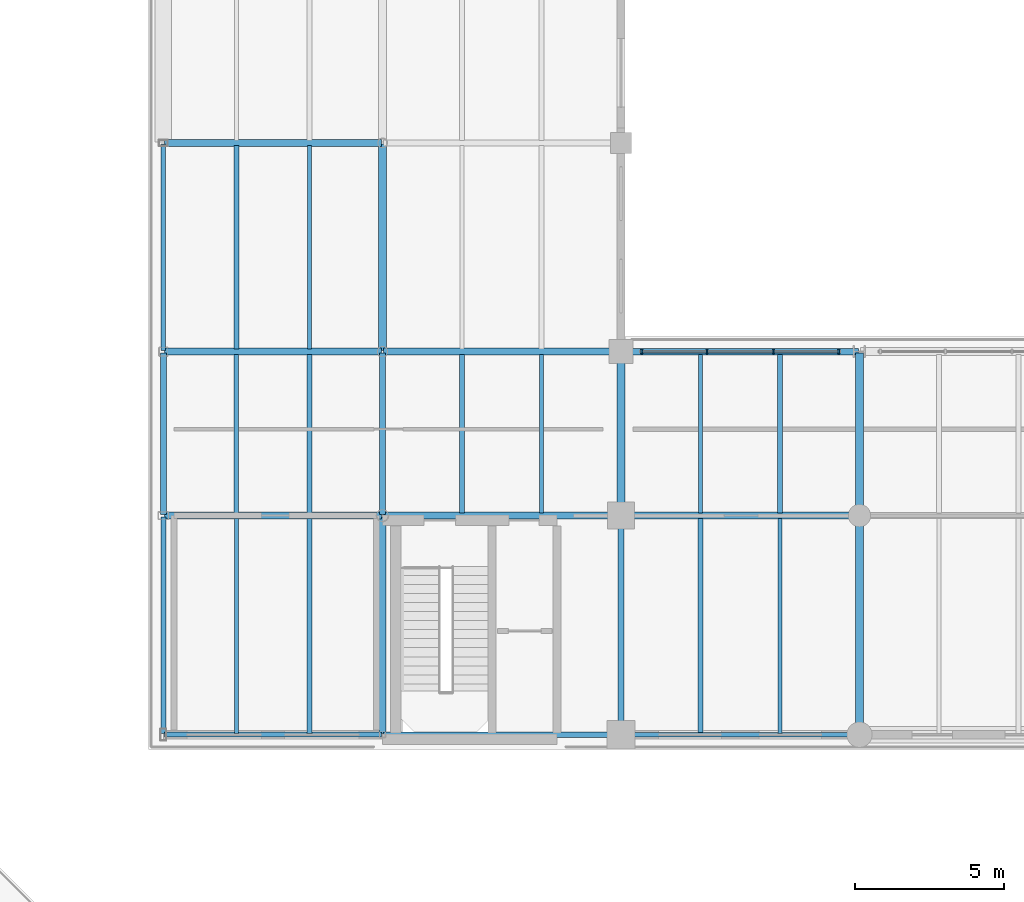
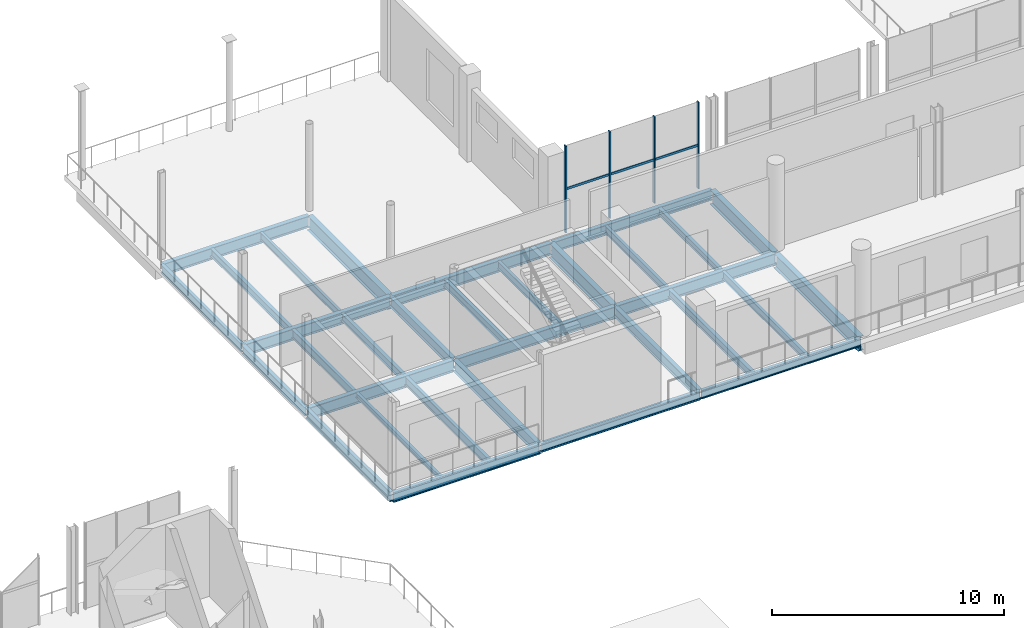
# One storey, part 23 of 51: 32 beams, 7 members, 1 element without a shape of its own.
"""IFC4 building model written with IfcOpenShell, lengths in metres."""

from ifc_helpers import new_model, si_unit, direction, frame, origin, origin_2d, place, context, subcontext, project, spatial, rectangle, i_section, extrude, material, material_profile, profile_set, type_object, element, aggregate, save


model = new_model("IFC4")

# Units and contexts
model_context = context("Model", 3, precision=1e-05, world=origin(), true_north=direction((0.0, 1.0)))
body_context = subcontext(model_context, "Body", "Model", "MODEL_VIEW")
ifc_project = project(units=[si_unit("LENGTHUNIT", "METRE"), si_unit("AREAUNIT", "SQUARE_METRE"), si_unit("VOLUMEUNIT", "CUBIC_METRE"), si_unit("PLANEANGLEUNIT", "RADIAN"), si_unit("MASSUNIT", "GRAM", prefix="KILO")], contexts=[model_context])

# Site, building, storey
site_placement = place(None, origin())
site = spatial("IfcSite", under=ifc_project, at=site_placement, CompositionType="ELEMENT")
building_placement = place(site_placement, origin())
building = spatial("IfcBuilding", under=site, at=building_placement, Name="Brisemont Oceanarium", CompositionType="ELEMENT")
storey_placement = place(building_placement, frame((0.0, 0.0, 15.0)))
storey = spatial("IfcBuildingStorey", under=building, at=storey_placement, Name="L03", CompositionType="ELEMENT", Elevation=15.0)

# Beams
ifc_material_1 = material(Name="Structural Steel ASTM A992 Gr.50", Category="steel")
ifc_material_profile_1 = material_profile(ifc_material_1, i_section(OverallWidth=0.14599609375, OverallDepth=0.259033203125, WebThickness=0.006103515625, FlangeThickness=0.009033203125, FilletRadius=0.008056640625, at=origin_2d()), Name="W10X22")
ifc_profile_set_1 = profile_set([ifc_material_profile_1], Name="Structural Steel ASTM A992 Gr.50")
beam_type_1 = type_object("IfcBeamType", Name="BM-W10X22", PredefinedType="LINTEL", material=ifc_profile_set_1)
beam_1_placement = place(storey_placement, frame((115.10009765625, 80.68994140625, -0.389404296875), z_axis=(0.0, 1.0, 0.0), x_axis=(-1.0, 0.0, 0.0)))
element("IfcBeam", 1, at=beam_1_placement, inside=storey, type_object=beam_type_1, Name="V6 L03 secondary floor beam", PredefinedType="LINTEL", context=body_context, shape_type="SweptSolid", body=[
    extrude(i_section(OverallWidth=0.14599609375, OverallDepth=0.259033203125, WebThickness=0.006103515625, FlangeThickness=0.009033203125, FilletRadius=0.008056640625, at=origin_2d()), origin(), (0.0, 0.0, 1.0), 7.219970703125),
])
ifc_material_2 = material(Name="Structural Steel ASTM A992 Gr.50", Category="steel")
ifc_material_profile_2 = material_profile(ifc_material_2, i_section(OverallWidth=0.1708984375, OverallDepth=0.35107421875, WebThickness=0.0068359375, FlangeThickness=0.009765625, FilletRadius=0.010009765625, at=origin_2d()), Name="W14X30")
ifc_profile_set_2 = profile_set([ifc_material_profile_2], Name="Structural Steel ASTM A992 Gr.50")
beam_type_2 = type_object("IfcBeamType", Name="BM-W14X30", PredefinedType="JOIST", material=ifc_profile_set_2)
beam_2_placement = place(storey_placement, frame((133.333251953125, 88.090087890625, -0.435546875), z_axis=(0.0, 1.0, 0.0), x_axis=(-1.0, 0.0, 0.0)))
element("IfcBeam", 2, at=beam_2_placement, inside=storey, type_object=beam_type_2, Name="V6 L03 secondary floor beam", PredefinedType="JOIST", context=body_context, shape_type="SweptSolid", body=[
    extrude(i_section(OverallWidth=0.1708984375, OverallDepth=0.35107421875, WebThickness=0.0068359375, FlangeThickness=0.009765625, FilletRadius=0.010009765625, at=origin_2d()), origin(), (0.0, 0.0, 1.0), 5.31982421875),
])
ifc_material_3 = material(Name="Structural Steel ASTM A992 Gr.50", Category="steel")
ifc_material_profile_3 = material_profile(ifc_material_3, i_section(OverallWidth=0.139892578125, OverallDepth=0.39892578125, WebThickness=0.00634765625, FlangeThickness=0.0087890625, FilletRadius=0.010009765625, at=origin_2d()), Name="W16X26")
ifc_profile_set_3 = profile_set([ifc_material_profile_3], Name="Structural Steel ASTM A992 Gr.50")
beam_type_3 = type_object("IfcBeamType", Name="BM-W16X26", PredefinedType="JOIST", material=ifc_profile_set_3)
beam_3_placement = place(storey_placement, frame((117.550048828125, 93.590087890625, -0.45947265625), z_axis=(0.0, 1.0, 0.0), x_axis=(-1.0, 0.0, 0.0)))
element("IfcBeam", 3, at=beam_3_placement, inside=storey, type_object=beam_type_3, Name="V6 L03 secondary floor beam", PredefinedType="JOIST", context=body_context, shape_type="SweptSolid", body=[
    extrude(i_section(OverallWidth=0.139892578125, OverallDepth=0.39892578125, WebThickness=0.00634765625, FlangeThickness=0.0087890625, FilletRadius=0.010009765625, at=origin_2d()), origin(), (0.0, 0.0, 1.0), 6.81982421875),
])
beam_4_placement = place(storey_placement, frame((125.333251953125, 88.090087890625, -0.45947265625), z_axis=(0.0, 1.0, 0.0), x_axis=(-1.0, 0.0, 0.0)))
element("IfcBeam", 4, at=beam_4_placement, inside=storey, type_object=beam_type_3, Name="V6 L03 secondary floor beam", PredefinedType="JOIST", context=body_context, shape_type="SweptSolid", body=[
    extrude(i_section(OverallWidth=0.139892578125, OverallDepth=0.39892578125, WebThickness=0.00634765625, FlangeThickness=0.0087890625, FilletRadius=0.010009765625, at=origin_2d()), origin(), (0.0, 0.0, 1.0), 5.31982421875),
])
beam_5_placement = place(storey_placement, frame((133.333251953125, 80.68994140625, -0.45947265625), z_axis=(0.0, 1.0, 0.0), x_axis=(-1.0, 0.0, 0.0)))
element("IfcBeam", 5, at=beam_5_placement, inside=storey, type_object=beam_type_3, Name="V6 L03 secondary floor beam", PredefinedType="JOIST", context=body_context, shape_type="SweptSolid", body=[
    extrude(i_section(OverallWidth=0.139892578125, OverallDepth=0.39892578125, WebThickness=0.00634765625, FlangeThickness=0.0087890625, FilletRadius=0.010009765625, at=origin_2d()), origin(), (0.0, 0.0, 1.0), 7.219970703125),
])
beam_6_placement = place(storey_placement, frame((130.666748046875, 88.090087890625, -0.45947265625), z_axis=(0.0, 1.0, 0.0), x_axis=(-1.0, 0.0, 0.0)))
element("IfcBeam", 6, at=beam_6_placement, inside=storey, type_object=beam_type_3, Name="V6 L03 secondary floor beam", PredefinedType="JOIST", context=body_context, shape_type="SweptSolid", body=[
    extrude(i_section(OverallWidth=0.139892578125, OverallDepth=0.39892578125, WebThickness=0.00634765625, FlangeThickness=0.0087890625, FilletRadius=0.010009765625, at=origin_2d()), origin(), (0.0, 0.0, 1.0), 5.31982421875),
])
ifc_material_4 = material(Name="Structural Steel ASTM A992 Gr.50", Category="steel")
ifc_material_profile_4 = material_profile(ifc_material_4, i_section(OverallWidth=0.177978515625, OverallDepth=0.404052734375, WebThickness=0.007568359375, FlangeThickness=0.010986328125, FilletRadius=0.010009765625, at=origin_2d()), Name="W16X36")
ifc_profile_set_4 = profile_set([ifc_material_profile_4], Name="Structural Steel ASTM A992 Gr.50")
beam_type_4 = type_object("IfcBeamType", Name="BM-W16X36", PredefinedType="JOIST", material=ifc_profile_set_4)
beam_7_placement = place(storey_placement, frame((117.550048828125, 88.090087890625, -0.4619140625), z_axis=(0.0, 1.0, 0.0), x_axis=(-1.0, 0.0, 0.0)))
element("IfcBeam", 7, at=beam_7_placement, inside=storey, type_object=beam_type_4, Name="V6 L03 secondary floor beam", PredefinedType="JOIST", context=body_context, shape_type="SweptSolid", body=[
    extrude(i_section(OverallWidth=0.177978515625, OverallDepth=0.404052734375, WebThickness=0.007568359375, FlangeThickness=0.010986328125, FilletRadius=0.010009765625, at=origin_2d()), origin(), (0.0, 0.0, 1.0), 5.31982421875),
])
beam_8_placement = place(storey_placement, frame((115.10009765625, 93.590087890625, -0.4619140625), z_axis=(0.0, 1.0, 0.0), x_axis=(-1.0, 0.0, 0.0)))
element("IfcBeam", 8, at=beam_8_placement, inside=storey, type_object=beam_type_4, Name="V6 L03 secondary floor beam", PredefinedType="JOIST", context=body_context, shape_type="SweptSolid", body=[
    extrude(i_section(OverallWidth=0.177978515625, OverallDepth=0.404052734375, WebThickness=0.007568359375, FlangeThickness=0.010986328125, FilletRadius=0.010009765625, at=origin_2d()), origin(), (0.0, 0.0, 1.0), 6.81982421875),
])
beam_9_placement = place(storey_placement, frame((122.666748046875, 88.090087890625, -0.4619140625), z_axis=(0.0, 1.0, 0.0), x_axis=(-1.0, 0.0, 0.0)))
element("IfcBeam", 9, at=beam_9_placement, inside=storey, type_object=beam_type_4, Name="V6 L03 secondary floor beam", PredefinedType="JOIST", context=body_context, shape_type="SweptSolid", body=[
    extrude(i_section(OverallWidth=0.177978515625, OverallDepth=0.404052734375, WebThickness=0.007568359375, FlangeThickness=0.010986328125, FilletRadius=0.010009765625, at=origin_2d()), origin(), (0.0, 0.0, 1.0), 5.31982421875),
])
beam_10_placement = place(storey_placement, frame((130.666748046875, 80.68994140625, -0.4619140625), z_axis=(0.0, 1.0, 0.0), x_axis=(-1.0, 0.0, 0.0)))
element("IfcBeam", 10, at=beam_10_placement, inside=storey, type_object=beam_type_4, Name="V6 L03 secondary floor beam", PredefinedType="JOIST", context=body_context, shape_type="SweptSolid", body=[
    extrude(i_section(OverallWidth=0.177978515625, OverallDepth=0.404052734375, WebThickness=0.007568359375, FlangeThickness=0.010986328125, FilletRadius=0.010009765625, at=origin_2d()), origin(), (0.0, 0.0, 1.0), 7.219970703125),
])
ifc_material_5 = material(Name="Structural Steel ASTM A992 Gr.50", Category="steel")
ifc_material_profile_5 = material_profile(ifc_material_5, i_section(OverallWidth=0.153076171875, OverallDepth=0.455078125, WebThickness=0.008056640625, FlangeThickness=0.01318359375, FilletRadius=0.010986328125, at=origin_2d()), Name="W18X40")
ifc_profile_set_5 = profile_set([ifc_material_profile_5], Name="Structural Steel ASTM A992 Gr.50")
beam_type_5 = type_object("IfcBeamType", Name="BM-W18X40", PredefinedType="JOIST", material=ifc_profile_set_5)
beam_11_placement = place(storey_placement, frame((117.550048828125, 80.68994140625, -0.487548828125), z_axis=(0.0, 1.0, 0.0), x_axis=(-1.0, 0.0, 0.0)))
element("IfcBeam", 11, at=beam_11_placement, inside=storey, type_object=beam_type_5, Name="V6 L03 secondary floor beam", PredefinedType="JOIST", context=body_context, shape_type="SweptSolid", body=[
    extrude(i_section(OverallWidth=0.153076171875, OverallDepth=0.455078125, WebThickness=0.008056640625, FlangeThickness=0.01318359375, FilletRadius=0.010986328125, at=origin_2d()), origin(), (0.0, 0.0, 1.0), 7.219970703125),
])
beam_12_placement = place(storey_placement, frame((115.10009765625, 88.090087890625, -0.487548828125), z_axis=(0.0, 1.0, 0.0), x_axis=(-1.0, 0.0, 0.0)))
element("IfcBeam", 12, at=beam_12_placement, inside=storey, type_object=beam_type_5, Name="V6 L03 secondary floor beam", PredefinedType="JOIST", context=body_context, shape_type="SweptSolid", body=[
    extrude(i_section(OverallWidth=0.153076171875, OverallDepth=0.455078125, WebThickness=0.008056640625, FlangeThickness=0.01318359375, FilletRadius=0.010986328125, at=origin_2d()), origin(), (0.0, 0.0, 1.0), 5.31982421875),
])
ifc_material_6 = material(Name="Structural Steel ASTM A992 Gr.50", Category="steel")
ifc_material_profile_6 = material_profile(ifc_material_6, i_section(OverallWidth=0.154052734375, OverallDepth=0.458984375, WebThickness=0.009033203125, FlangeThickness=0.015380859375, FilletRadius=0.010986328125, at=origin_2d()), Name="W18X46")
ifc_profile_set_6 = profile_set([ifc_material_profile_6], Name="Structural Steel ASTM A992 Gr.50")
beam_type_6 = type_object("IfcBeamType", Name="BM-W18X46", PredefinedType="SPANDREL", material=ifc_profile_set_6)
beam_13_placement = place(storey_placement, frame((128.0400390625, 80.64990234375, -0.489501953125), z_axis=(1.0, 0.0, 0.0), x_axis=(0.0, 1.0, 0.0)))
element("IfcBeam", 13, at=beam_13_placement, inside=storey, type_object=beam_type_6, Name="V6 L03 EW girder", PredefinedType="SPANDREL", context=body_context, shape_type="SweptSolid", body=[
    extrude(i_section(OverallWidth=0.154052734375, OverallDepth=0.458984375, WebThickness=0.009033203125, FlangeThickness=0.015380859375, FilletRadius=0.010986328125, at=origin_2d()), origin(), (0.0, 0.0, 1.0), 7.919921875),
])
beam_14_placement = place(storey_placement, frame((112.64990234375, 93.5400390625, -0.489501953125), z_axis=(0.0, 1.0, 0.0), x_axis=(-1.0, 0.0, 0.0)))
element("IfcBeam", 14, at=beam_14_placement, inside=storey, type_object=beam_type_6, Name="V6 L03 NS girder", PredefinedType="SPANDREL", context=body_context, shape_type="SweptSolid", body=[
    extrude(i_section(OverallWidth=0.154052734375, OverallDepth=0.458984375, WebThickness=0.009033203125, FlangeThickness=0.015380859375, FilletRadius=0.010986328125, at=origin_2d()), origin(), (0.0, 0.0, 1.0), 6.919921875),
])
ifc_material_7 = material(Name="Structural Steel ASTM A992 Gr.50", Category="steel")
ifc_material_profile_7 = material_profile(ifc_material_7, i_section(OverallWidth=0.19091796875, OverallDepth=0.4599609375, WebThickness=0.010009765625, FlangeThickness=0.01611328125, FilletRadius=0.010986328125, at=origin_2d()), Name="W18X55")
ifc_profile_set_7 = profile_set([ifc_material_profile_7], Name="Structural Steel ASTM A992 Gr.50")
beam_type_7 = type_object("IfcBeamType", Name="BM-W18X55", PredefinedType="SPANDREL", material=ifc_profile_set_7)
beam_15_placement = place(storey_placement, frame((120.0400390625, 80.64990234375, -0.489990234375), z_axis=(1.0, 0.0, 0.0), x_axis=(0.0, 1.0, 0.0)))
element("IfcBeam", 15, at=beam_15_placement, inside=storey, type_object=beam_type_7, Name="V6 L03 EW girder", PredefinedType="SPANDREL", context=body_context, shape_type="SweptSolid", body=[
    extrude(i_section(OverallWidth=0.19091796875, OverallDepth=0.4599609375, WebThickness=0.010009765625, FlangeThickness=0.01611328125, FilletRadius=0.010986328125, at=origin_2d()), origin(), (0.0, 0.0, 1.0), 7.919921875),
])
beam_16_placement = place(storey_placement, frame((112.64990234375, 88.0400390625, -0.489990234375), z_axis=(0.0, 1.0, 0.0), x_axis=(-1.0, 0.0, 0.0)))
element("IfcBeam", 16, at=beam_16_placement, inside=storey, type_object=beam_type_7, Name="V6 L03 NS girder", PredefinedType="SPANDREL", context=body_context, shape_type="SweptSolid", body=[
    extrude(i_section(OverallWidth=0.19091796875, OverallDepth=0.4599609375, WebThickness=0.010009765625, FlangeThickness=0.01611328125, FilletRadius=0.010986328125, at=origin_2d()), origin(), (0.0, 0.0, 1.0), 5.419921875),
])
ifc_material_8 = material(Name="Structural Steel ASTM A992 Gr.50", Category="steel")
ifc_material_profile_8 = material_profile(ifc_material_8, i_section(OverallWidth=0.166015625, OverallDepth=0.528076171875, WebThickness=0.009765625, FlangeThickness=0.013671875, FilletRadius=0.012939453125, at=origin_2d()), Name="W21X50")
ifc_profile_set_8 = profile_set([ifc_material_profile_8], Name="Structural Steel ASTM A992 Gr.50")
beam_type_8 = type_object("IfcBeamType", Name="BM-W21X50", PredefinedType="SPANDREL", material=ifc_profile_set_8)
for number, where, z_axis, x_axis, name in (
    (17, (112.68994140625, 80.64990234375, -0.52392578125), (1.0, 0.0, 0.0), (0.0, 1.0, 0.0), "V6 L03 EW girder"),
    (18, (112.64990234375, 80.68994140625, -0.52392578125), (0.0, 1.0, 0.0), (-1.0, 0.0, 0.0), "V6 L03 NS girder"),
):
    element("IfcBeam", number, at=place(storey_placement, frame(where, z_axis=z_axis, x_axis=x_axis)), inside=storey, type_object=beam_type_8, Name=name, PredefinedType="SPANDREL", context=body_context, shape_type="SweptSolid", body=[
        extrude(i_section(OverallWidth=0.166015625, OverallDepth=0.528076171875, WebThickness=0.009765625, FlangeThickness=0.013671875, FilletRadius=0.012939453125, at=origin_2d()), origin(), (0.0, 0.0, 1.0), 7.27001953125),
    ])
ifc_material_9 = material(Name="Structural Steel ASTM A992 Gr.50", Category="steel")
ifc_material_profile_9 = material_profile(ifc_material_9, i_section(OverallWidth=0.2099609375, OverallDepth=0.532958984375, WebThickness=0.01025390625, FlangeThickness=0.015625, FilletRadius=0.012939453125, at=origin_2d()), Name="W21X62")
ifc_profile_set_9 = profile_set([ifc_material_profile_9], Name="Structural Steel ASTM A992 Gr.50")
beam_type_9 = type_object("IfcBeamType", Name="BM-W21X62", PredefinedType="BEAM", material=ifc_profile_set_9)
beam_17_placement = place(storey_placement, frame((128.0400390625, 93.5, -0.526611328125), z_axis=(1.0, 0.0, 0.0), x_axis=(0.0, 1.0, 0.0)))
element("IfcBeam", 19, at=beam_17_placement, inside=storey, type_object=beam_type_9, Name="V6 L03 EW girder", PredefinedType="BEAM", context=body_context, shape_type="SweptSolid", body=[
    extrude(i_section(OverallWidth=0.2099609375, OverallDepth=0.532958984375, WebThickness=0.01025390625, FlangeThickness=0.015625, FilletRadius=0.012939453125, at=origin_2d()), origin(), (0.0, 0.0, 1.0), 7.919921875),
])
beam_18_placement = place(storey_placement, frame((120.0, 88.0400390625, -0.526611328125), z_axis=(0.0, 1.0, 0.0), x_axis=(-1.0, 0.0, 0.0)))
element("IfcBeam", 20, at=beam_18_placement, inside=storey, type_object=beam_type_9, Name="V6 L03 NS girder", PredefinedType="BEAM", context=body_context, shape_type="SweptSolid", body=[
    extrude(i_section(OverallWidth=0.2099609375, OverallDepth=0.532958984375, WebThickness=0.01025390625, FlangeThickness=0.015625, FilletRadius=0.012939453125, at=origin_2d()), origin(), (0.0, 0.0, 1.0), 5.419921875),
])
beam_19_placement = place(storey_placement, frame((128.0, 80.68994140625, -0.526611328125), z_axis=(0.0, 1.0, 0.0), x_axis=(-1.0, 0.0, 0.0)))
element("IfcBeam", 21, at=beam_19_placement, inside=storey, type_object=beam_type_9, Name="V6 L03 NS girder", PredefinedType="BEAM", context=body_context, shape_type="SweptSolid", body=[
    extrude(i_section(OverallWidth=0.2099609375, OverallDepth=0.532958984375, WebThickness=0.01025390625, FlangeThickness=0.015625, FilletRadius=0.012939453125, at=origin_2d()), origin(), (0.0, 0.0, 1.0), 7.27001953125),
])
ifc_material_10 = material(Name="Structural Steel ASTM A992 Gr.50", Category="steel")
ifc_material_profile_10 = material_profile(ifc_material_10, i_section(OverallWidth=0.22802734375, OverallDepth=0.60205078125, WebThickness=0.010498046875, FlangeThickness=0.014892578125, FilletRadius=0.012939453125, at=origin_2d()), Name="W24X68")
ifc_profile_set_10 = profile_set([ifc_material_profile_10], Name="Structural Steel ASTM A992 Gr.50")
beam_type_10 = type_object("IfcBeamType", Name="BM-W24X68", PredefinedType="BEAM", material=ifc_profile_set_10)
for number, where, z_axis, x_axis, name in (
    (22, (128.0400390625, 88.0, -0.56103515625), (1.0, 0.0, 0.0), (0.0, 1.0, 0.0), "V6 L03 EW girder"),
    (23, (120.0400390625, 93.5, -0.56103515625), (1.0, 0.0, 0.0), (0.0, 1.0, 0.0), "V6 L03 EW girder"),
):
    element("IfcBeam", number, at=place(storey_placement, frame(where, z_axis=z_axis, x_axis=x_axis)), inside=storey, type_object=beam_type_10, Name=name, PredefinedType="BEAM", context=body_context, shape_type="SweptSolid", body=[
        extrude(i_section(OverallWidth=0.22802734375, OverallDepth=0.60205078125, WebThickness=0.010498046875, FlangeThickness=0.014892578125, FilletRadius=0.012939453125, at=origin_2d()), origin(), (0.0, 0.0, 1.0), 7.919921875),
    ])
for number, where, z_axis, x_axis, name in (
    (24, (112.68994140625, 100.5, -0.56103515625), (1.0, 0.0, 0.0), (0.0, 1.0, 0.0), "V6 L03 EW girder"),
    (25, (120.0, 80.68994140625, -0.56103515625), (0.0, 1.0, 0.0), (-1.0, 0.0, 0.0), "V6 L03 NS girder"),
):
    element("IfcBeam", number, at=place(storey_placement, frame(where, z_axis=z_axis, x_axis=x_axis)), inside=storey, type_object=beam_type_10, Name=name, PredefinedType="BEAM", context=body_context, shape_type="SweptSolid", body=[
        extrude(i_section(OverallWidth=0.22802734375, OverallDepth=0.60205078125, WebThickness=0.010498046875, FlangeThickness=0.014892578125, FilletRadius=0.012939453125, at=origin_2d()), origin(), (0.0, 0.0, 1.0), 7.27001953125),
    ])
ifc_material_11 = material(Name="Structural Steel ASTM A992 Gr.50", Category="steel")
ifc_material_profile_11 = material_profile(ifc_material_11, i_section(OverallWidth=0.22802734375, OverallDepth=0.60791015625, WebThickness=0.01123046875, FlangeThickness=0.017333984375, FilletRadius=0.012939453125, at=origin_2d()), Name="W24X76")
ifc_profile_set_11 = profile_set([ifc_material_profile_11], Name="Structural Steel ASTM A992 Gr.50")
beam_type_11 = type_object("IfcBeamType", Name="BM-W24X76", PredefinedType="BEAM", material=ifc_profile_set_11)
beam_20_placement = place(storey_placement, frame((120.0400390625, 88.0, -0.56396484375), z_axis=(1.0, 0.0, 0.0), x_axis=(0.0, 1.0, 0.0)))
element("IfcBeam", 26, at=beam_20_placement, inside=storey, type_object=beam_type_11, Name="V6 L03 EW girder", PredefinedType="BEAM", context=body_context, shape_type="SweptSolid", body=[
    extrude(i_section(OverallWidth=0.22802734375, OverallDepth=0.60791015625, WebThickness=0.01123046875, FlangeThickness=0.017333984375, FilletRadius=0.012939453125, at=origin_2d()), origin(), (0.0, 0.0, 1.0), 7.919921875),
])
beam_21_placement = place(storey_placement, frame((112.68994140625, 93.5, -0.56396484375), z_axis=(1.0, 0.0, 0.0), x_axis=(0.0, 1.0, 0.0)))
element("IfcBeam", 27, at=beam_21_placement, inside=storey, type_object=beam_type_11, Name="V6 L03 EW girder", PredefinedType="BEAM", context=body_context, shape_type="SweptSolid", body=[
    extrude(i_section(OverallWidth=0.22802734375, OverallDepth=0.60791015625, WebThickness=0.01123046875, FlangeThickness=0.017333984375, FilletRadius=0.012939453125, at=origin_2d()), origin(), (0.0, 0.0, 1.0), 7.27001953125),
])
ifc_material_12 = material(Name="Structural Steel ASTM A992 Gr.50", Category="steel")
ifc_material_profile_12 = material_profile(ifc_material_12, i_section(OverallWidth=0.22900390625, OverallDepth=0.612060546875, WebThickness=0.011962890625, FlangeThickness=0.01953125, FilletRadius=0.012939453125, at=origin_2d()), Name="W24X84")
ifc_profile_set_12 = profile_set([ifc_material_profile_12], Name="Structural Steel ASTM A992 Gr.50")
beam_type_12 = type_object("IfcBeamType", Name="BM-W24X84", PredefinedType="BEAM", material=ifc_profile_set_12)
beam_22_placement = place(storey_placement, frame((112.68994140625, 88.0, -0.56591796875), z_axis=(1.0, 0.0, 0.0), x_axis=(0.0, 1.0, 0.0)))
element("IfcBeam", 28, at=beam_22_placement, inside=storey, type_object=beam_type_12, Name="V6 L03 EW girder", PredefinedType="BEAM", context=body_context, shape_type="SweptSolid", body=[
    extrude(i_section(OverallWidth=0.22900390625, OverallDepth=0.612060546875, WebThickness=0.011962890625, FlangeThickness=0.01953125, FilletRadius=0.012939453125, at=origin_2d()), origin(), (0.0, 0.0, 1.0), 7.27001953125),
])
ifc_material_13 = material(Name="Structural Steel ASTM A992 Gr.50", Category="steel")
ifc_material_profile_13 = material_profile(ifc_material_13, i_section(OverallWidth=0.26708984375, OverallDepth=0.761962890625, WebThickness=0.014404296875, FlangeThickness=0.021484375, FilletRadius=0.01611328125, at=origin_2d()), Name="W30X116")
ifc_profile_set_13 = profile_set([ifc_material_profile_13], Name="Structural Steel ASTM A992 Gr.50")
beam_type_13 = type_object("IfcBeamType", Name="BM-W30X116", PredefinedType="BEAM", material=ifc_profile_set_13)
beam_23_placement = place(storey_placement, frame((120.0, 93.5400390625, -0.64111328125), z_axis=(0.0, 1.0, 0.0), x_axis=(-1.0, 0.0, 0.0)))
element("IfcBeam", 29, at=beam_23_placement, inside=storey, type_object=beam_type_13, Name="V6 L03 NS girder", PredefinedType="BEAM", context=body_context, shape_type="SweptSolid", body=[
    extrude(i_section(OverallWidth=0.26708984375, OverallDepth=0.761962890625, WebThickness=0.014404296875, FlangeThickness=0.021484375, FilletRadius=0.01611328125, at=origin_2d()), origin(), (0.0, 0.0, 1.0), 6.919921875),
])
beam_24_placement = place(storey_placement, frame((128.0, 88.0400390625, -0.64111328125), z_axis=(0.0, 1.0, 0.0), x_axis=(-1.0, 0.0, 0.0)))
element("IfcBeam", 30, at=beam_24_placement, inside=storey, type_object=beam_type_13, Name="V6 L03 NS girder", PredefinedType="BEAM", context=body_context, shape_type="SweptSolid", body=[
    extrude(i_section(OverallWidth=0.26708984375, OverallDepth=0.761962890625, WebThickness=0.014404296875, FlangeThickness=0.021484375, FilletRadius=0.01611328125, at=origin_2d()), origin(), (0.0, 0.0, 1.0), 5.419921875),
])
beam_25_placement = place(storey_placement, frame((136.0, 80.68994140625, -0.64111328125), z_axis=(0.0, 1.0, 0.0), x_axis=(-1.0, 0.0, 0.0)))
element("IfcBeam", 31, at=beam_25_placement, inside=storey, type_object=beam_type_13, Name="V6 L03 NS girder", PredefinedType="BEAM", context=body_context, shape_type="SweptSolid", body=[
    extrude(i_section(OverallWidth=0.26708984375, OverallDepth=0.761962890625, WebThickness=0.014404296875, FlangeThickness=0.021484375, FilletRadius=0.01611328125, at=origin_2d()), origin(), (0.0, 0.0, 1.0), 7.27001953125),
])
ifc_material_14 = material(Name="Structural Steel ASTM A992 Gr.50", Category="steel")
ifc_material_profile_14 = material_profile(ifc_material_14, i_section(OverallWidth=0.264892578125, OverallDepth=0.7529296875, WebThickness=0.01318359375, FlangeThickness=0.01708984375, FilletRadius=0.01611328125, at=origin_2d()), Name="W30X99")
ifc_profile_set_14 = profile_set([ifc_material_profile_14], Name="Structural Steel ASTM A992 Gr.50")
beam_type_14 = type_object("IfcBeamType", Name="BM-W30X99", PredefinedType="BEAM", material=ifc_profile_set_14)
beam_26_placement = place(storey_placement, frame((136.0, 88.0400390625, -0.636474609375), z_axis=(0.0, 1.0, 0.0), x_axis=(-1.0, 0.0, 0.0)))
element("IfcBeam", 32, at=beam_26_placement, inside=storey, type_object=beam_type_14, Name="V6 L03 NS girder", PredefinedType="BEAM", context=body_context, shape_type="SweptSolid", body=[
    extrude(i_section(OverallWidth=0.264892578125, OverallDepth=0.7529296875, WebThickness=0.01318359375, FlangeThickness=0.01708984375, FilletRadius=0.01611328125, at=origin_2d()), origin(), (0.0, 0.0, 1.0), 5.419921875),
])

# Curtain wall, members
ifc_material_15 = material(Name="Anodized Extruded Aluminum 6063-T6", Category="aluminium")
curtain_wall_type = type_object("IfcCurtainWallType", Name="CW-RES-61X43", PredefinedType="NOTDEFINED", material=ifc_material_15)
curtain_wall_placement = place(storey_placement, origin())
curtain_wall = element("IfcCurtainWall", 33, at=curtain_wall_placement, inside=storey, type_object=curtain_wall_type, Name="CW-17 curtain wall CW-V6-N-L03-01", PredefinedType="NOTDEFINED")
ifc_material_16 = material(Name="Anodized Extruded Aluminum 6063-T6", Category="aluminium")
ifc_material_profile_15 = material_profile(ifc_material_16, rectangle(XDim=0.06005859375, YDim=0.14990234375, at=origin_2d()), Name="CWM-60X150")
ifc_profile_set_15 = profile_set([ifc_material_profile_15], Name="Anodized Extruded Aluminum 6063-T6")
member_type_1 = type_object("IfcMemberType", Name="MEM-CWM-60", PredefinedType="MULLION", material=ifc_profile_set_15)
member_1_placement = place(storey_placement, frame((128.695068359375, 93.5, 0.0), z_axis=(0.0, 0.0, 1.0), x_axis=(1.0, 0.0, 0.0)))
member_1 = element("IfcMember", 34, at=member_1_placement, type_object=member_type_1, Name="CW-V6-N-L03-01 mullion 1", PredefinedType="MULLION", context=body_context, shape_type="SweptSolid", body=[
    extrude(rectangle(XDim=0.06005859375, YDim=0.14990234375, at=origin_2d()), origin(), (0.0, 0.0, 1.0), 4.56005859375),
])
member_2_placement = place(storey_placement, frame((130.88330078125, 93.5, 0.0), z_axis=(0.0, 0.0, 1.0), x_axis=(1.0, 0.0, 0.0)))
member_2 = element("IfcMember", 35, at=member_2_placement, type_object=member_type_1, Name="CW-V6-N-L03-01 mullion 2", PredefinedType="MULLION", context=body_context, shape_type="SweptSolid", body=[
    extrude(rectangle(XDim=0.06005859375, YDim=0.14990234375, at=origin_2d()), origin(), (0.0, 0.0, 1.0), 4.56005859375),
])
member_3_placement = place(storey_placement, frame((133.11669921875, 93.5, 0.0), z_axis=(0.0, 0.0, 1.0), x_axis=(1.0, 0.0, 0.0)))
member_3 = element("IfcMember", 36, at=member_3_placement, type_object=member_type_1, Name="CW-V6-N-L03-01 mullion 3", PredefinedType="MULLION", context=body_context, shape_type="SweptSolid", body=[
    extrude(rectangle(XDim=0.06005859375, YDim=0.14990234375, at=origin_2d()), origin(), (0.0, 0.0, 1.0), 4.56005859375),
])
member_4_placement = place(storey_placement, frame((135.304931640625, 93.5, 0.0), z_axis=(0.0, 0.0, 1.0), x_axis=(1.0, 0.0, 0.0)))
member_4 = element("IfcMember", 37, at=member_4_placement, type_object=member_type_1, Name="CW-V6-N-L03-01 mullion 4", PredefinedType="MULLION", context=body_context, shape_type="SweptSolid", body=[
    extrude(rectangle(XDim=0.06005859375, YDim=0.14990234375, at=origin_2d()), origin(), (0.0, 0.0, 1.0), 4.56005859375),
])
ifc_material_17 = material(Name="Anodized Extruded Aluminum 6063-T6", Category="aluminium")
ifc_material_profile_16 = material_profile(ifc_material_17, rectangle(XDim=0.06005859375, YDim=0.1201171875, at=origin_2d()), Name="CWT-60X120")
ifc_profile_set_16 = profile_set([ifc_material_profile_16], Name="Anodized Extruded Aluminum 6063-T6")
member_type_2 = type_object("IfcMemberType", Name="MEM-CWT-60", PredefinedType="USERDEFINED", material=ifc_profile_set_16)
member_5_placement = place(storey_placement, frame((128.6650390625, 93.5, 2.280029296875), z_axis=(1.0, 0.0, 0.0), x_axis=(0.0, 1.0, 0.0)))
member_5 = element("IfcMember", 38, at=member_5_placement, type_object=member_type_2, Name="CW-V6-N-L03-01 transom 1.1", ObjectType="TRANSOM", PredefinedType="USERDEFINED", context=body_context, shape_type="SweptSolid", body=[
    extrude(rectangle(XDim=0.06005859375, YDim=0.1201171875, at=origin_2d()), origin(), (0.0, 0.0, 1.0), 2.203369140625),
])
member_6_placement = place(storey_placement, frame((130.898193359375, 93.5, 2.280029296875), z_axis=(1.0, 0.0, 0.0), x_axis=(0.0, 1.0, 0.0)))
member_6 = element("IfcMember", 39, at=member_6_placement, type_object=member_type_2, Name="CW-V6-N-L03-01 transom 2.1", ObjectType="TRANSOM", PredefinedType="USERDEFINED", context=body_context, shape_type="SweptSolid", body=[
    extrude(rectangle(XDim=0.06005859375, YDim=0.1201171875, at=origin_2d()), origin(), (0.0, 0.0, 1.0), 2.20361328125),
])
member_7_placement = place(storey_placement, frame((133.131591796875, 93.5, 2.280029296875), z_axis=(1.0, 0.0, 0.0), x_axis=(0.0, 1.0, 0.0)))
member_7 = element("IfcMember", 40, at=member_7_placement, type_object=member_type_2, Name="CW-V6-N-L03-01 transom 3.1", ObjectType="TRANSOM", PredefinedType="USERDEFINED", context=body_context, shape_type="SweptSolid", body=[
    extrude(rectangle(XDim=0.06005859375, YDim=0.1201171875, at=origin_2d()), origin(), (0.0, 0.0, 1.0), 2.203369140625),
])
aggregate(curtain_wall, [member_1, member_2, member_3, member_4, member_5, member_6, member_7])

save(model, "model.ifc")
